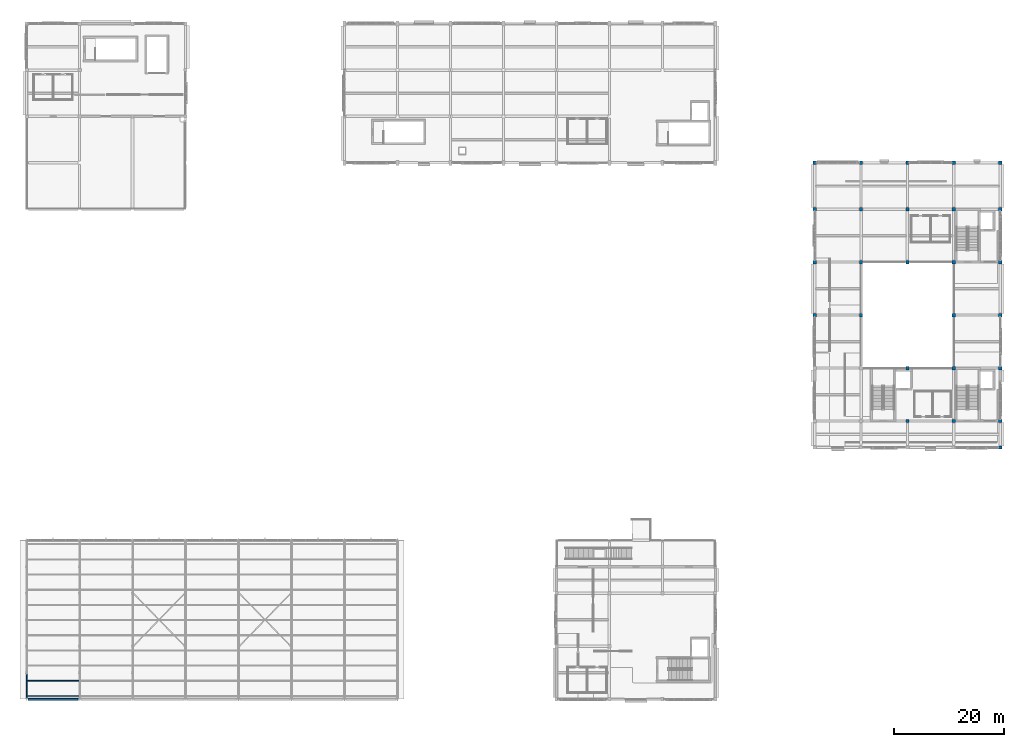
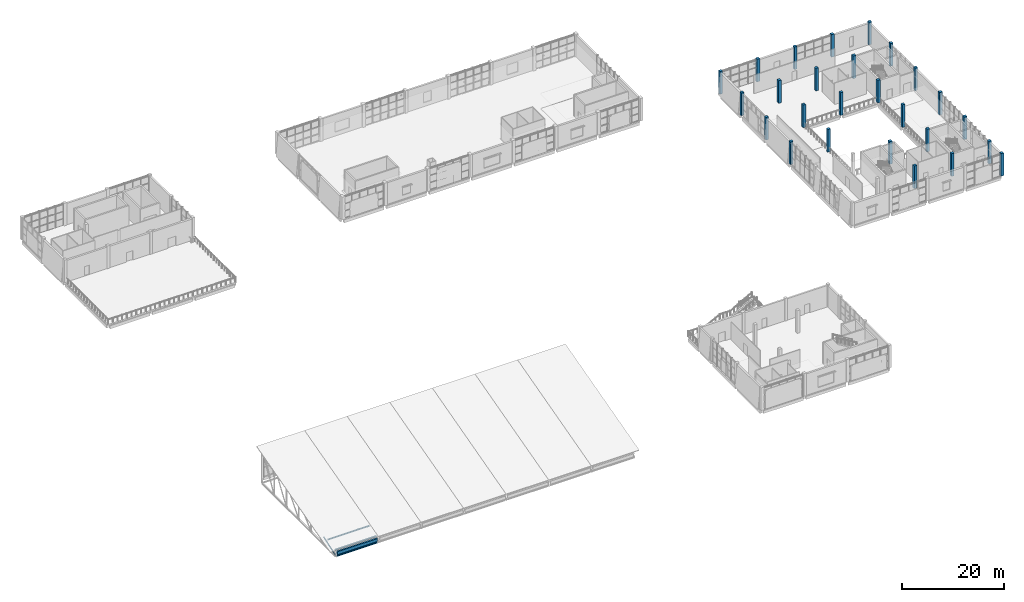
# One storey, part 2 of 57: 26 columns, 4 members, 1 beam.
"""IFC4 building model written with IfcOpenShell, lengths in metres."""

from ifc_helpers import new_model, si_unit, direction, frame, origin, origin_2d, place, context, subcontext, project, spatial, rectangle, hollow_circle, i_section, extrude, material, material_profile, profile_set, type_object, element, save


model = new_model("IFC4")

# Units and contexts
model_context = context("Model", 3, precision=1e-05, world=origin(), true_north=direction((0.0, 1.0)))
body_context = subcontext(model_context, "Body", "Model", "MODEL_VIEW")
ifc_project = project(units=[si_unit("LENGTHUNIT", "METRE"), si_unit("AREAUNIT", "SQUARE_METRE"), si_unit("VOLUMEUNIT", "CUBIC_METRE"), si_unit("PLANEANGLEUNIT", "RADIAN"), si_unit("MASSUNIT", "GRAM", prefix="KILO")], contexts=[model_context])

# Site, building, storey
site_placement = place(None, origin())
site = spatial("IfcSite", under=ifc_project, at=site_placement, CompositionType="ELEMENT")
building_placement = place(site_placement, origin())
building = spatial("IfcBuilding", under=site, at=building_placement, Name="Shalvenor Court Art Gallery", CompositionType="ELEMENT")
storey_placement = place(building_placement, frame((0.0, 0.0, 16.800048828125)))
storey = spatial("IfcBuildingStorey", under=building, at=storey_placement, Name="L03", CompositionType="ELEMENT", Elevation=16.800048828125)

# Columns
ifc_material_1 = material(Name="Concrete C40/50", Category="concrete")
ifc_material_profile_1 = material_profile(ifc_material_1, rectangle(XDim=0.60009765625, YDim=0.60009765625, at=origin_2d()), Name="RC 600x600")
ifc_profile_set_1 = profile_set([ifc_material_profile_1], Name="Concrete C40/50")
column_type_1 = type_object("IfcColumnType", Name="C-03", PredefinedType="COLUMN", material=ifc_profile_set_1)
for number, where, z_axis, x_axis, name in (
    (1, (142.800048828125, 69.60009765625, 0.0), (0.0, 0.0, 1.0), (1.0, 0.0, 0.0), "L03 Column COL-L03-C-03-0573"),
    (2, (142.800048828125, 79.199951171875, 0.0), (0.0, 0.0, 1.0), (1.0, 0.0, 0.0), "L03 Column COL-L03-C-03-0579"),
    (3, (142.800048828125, 88.800048828125, 0.0), (0.0, 0.0, 1.0), (1.0, 0.0, 0.0), "L03 Column COL-L03-C-03-0585"),
    (4, (151.199951171875, 69.60009765625, 0.0), (0.0, 0.0, 1.0), (1.0, 0.0, 0.0), "L03 Column COL-L03-C-03-0615"),
    (5, (151.199951171875, 79.199951171875, 0.0), (0.0, 0.0, 1.0), (1.0, 0.0, 0.0), "L03 Column COL-L03-C-03-0621"),
    (6, (151.199951171875, 88.800048828125, 0.0), (0.0, 0.0, 1.0), (1.0, 0.0, 0.0), "L03 Column COL-L03-C-03-0627"),
    (7, (159.60009765625, 50.39990234375, 0.0), (0.0, 0.0, 1.0), (1.0, 0.0, 0.0), "L03 Column COL-L03-C-03-0646"),
    (8, (159.60009765625, 60.0, 0.0), (0.0, 0.0, 1.0), (1.0, 0.0, 0.0), "L03 Column COL-L03-C-03-0653"),
    (9, (159.60009765625, 79.199951171875, 0.0), (0.0, 0.0, 1.0), (1.0, 0.0, 0.0), "L03 Column COL-L03-C-03-0660"),
    (10, (159.60009765625, 88.800048828125, 0.0), (0.0, 0.0, 1.0), (1.0, 0.0, 0.0), "L03 Column COL-L03-C-03-0667"),
    (11, (168.0, 50.39990234375, 0.0), (0.0, 0.0, 1.0), (1.0, 0.0, 0.0), "L03 Column COL-L03-C-03-0688"),
    (12, (168.0, 60.0, 0.0), (0.0, 0.0, 1.0), (1.0, 0.0, 0.0), "L03 Column COL-L03-C-03-0695"),
    (13, (168.0, 69.60009765625, 0.0), (0.0, 0.0, 1.0), (1.0, 0.0, 0.0), "L03 Column COL-L03-C-03-0702"),
    (14, (168.0, 79.199951171875, 0.0), (0.0, 0.0, 1.0), (1.0, 0.0, 0.0), "L03 Column COL-L03-C-03-0709"),
    (15, (168.0, 88.800048828125, 0.0), (0.0, 0.0, 1.0), (1.0, 0.0, 0.0), "L03 Column COL-L03-C-03-0716"),
):
    element("IfcColumn", number, at=place(storey_placement, frame(where, z_axis=z_axis, x_axis=x_axis)), inside=storey, type_object=column_type_1, Name=name, PredefinedType="COLUMN", context=body_context, shape_type="SweptSolid", body=[
        extrude(rectangle(XDim=0.60009765625, YDim=0.60009765625, at=origin_2d()), origin(), (0.0, 0.0, 1.0), 5.39990234375),
    ])
ifc_material_2 = material(Name="Concrete C40/50", Category="concrete")
ifc_material_profile_2 = material_profile(ifc_material_2, rectangle(XDim=0.60009765625, YDim=0.60009765625, at=origin_2d()), Name="RC 600x600")
ifc_profile_set_2 = profile_set([ifc_material_profile_2], Name="Concrete C40/50")
column_type_2 = type_object("IfcColumnType", Name="C-03E", PredefinedType="COLUMN", material=ifc_profile_set_2)
for number, where, z_axis, x_axis, name in (
    (16, (142.800048828125, 97.199951171875, 0.0), (0.0, 0.0, 1.0), (1.0, 0.0, 0.0), "L03 Column COL-L03-C-03E-0591"),
    (17, (151.199951171875, 97.199951171875, 0.0), (0.0, 0.0, 1.0), (1.0, 0.0, 0.0), "L03 Column COL-L03-C-03E-0633"),
    (18, (159.60009765625, 97.199951171875, 0.0), (0.0, 0.0, 1.0), (1.0, 0.0, 0.0), "L03 Column COL-L03-C-03E-0674"),
    (19, (168.0, 97.199951171875, 0.0), (0.0, 0.0, 1.0), (1.0, 0.0, 0.0), "L03 Column COL-L03-C-03E-0723"),
    (20, (176.39990234375, 45.60009765625, 0.0), (0.0, 0.0, 1.0), (1.0, 0.0, 0.0), "L03 Column COL-L03-C-03E-0730"),
    (21, (176.39990234375, 50.39990234375, 0.0), (0.0, 0.0, 1.0), (1.0, 0.0, 0.0), "L03 Column COL-L03-C-03E-0737"),
    (22, (176.39990234375, 60.0, 0.0), (0.0, 0.0, 1.0), (1.0, 0.0, 0.0), "L03 Column COL-L03-C-03E-0744"),
    (23, (176.39990234375, 69.60009765625, 0.0), (0.0, 0.0, 1.0), (1.0, 0.0, 0.0), "L03 Column COL-L03-C-03E-0751"),
    (24, (176.39990234375, 79.199951171875, 0.0), (0.0, 0.0, 1.0), (1.0, 0.0, 0.0), "L03 Column COL-L03-C-03E-0758"),
    (25, (176.39990234375, 88.800048828125, 0.0), (0.0, 0.0, 1.0), (1.0, 0.0, 0.0), "L03 Column COL-L03-C-03E-0765"),
    (26, (176.39990234375, 97.199951171875, 0.0), (0.0, 0.0, 1.0), (1.0, 0.0, 0.0), "L03 Column COL-L03-C-03E-0772"),
):
    element("IfcColumn", number, at=place(storey_placement, frame(where, z_axis=z_axis, x_axis=x_axis)), inside=storey, type_object=column_type_2, Name=name, PredefinedType="COLUMN", context=body_context, shape_type="SweptSolid", body=[
        extrude(rectangle(XDim=0.60009765625, YDim=0.60009765625, at=origin_2d()), origin(), (0.0, 0.0, 1.0), 5.39990234375),
    ])

# Members
ifc_material_3 = material(Name="Steel S355", Category="steel")
ifc_material_profile_3 = material_profile(ifc_material_3, i_section(OverallWidth=0.1201171875, OverallDepth=0.239990234375, WebThickness=0.006103515625, FlangeThickness=0.009765625, at=origin_2d()), Name="IPE 240")
ifc_profile_set_3 = profile_set([ifc_material_profile_3], Name="Steel S355")
member_type_1 = type_object("IfcMemberType", Name="PR-02", PredefinedType="PURLIN", material=ifc_profile_set_3)
for number, where, z_axis, x_axis, name in (
    (27, (0.135009765625, 0.60009765625, -0.2138671875), (1.0, 0.0, 0.0), (0.0, 1.0, 0.0), "L03 V4 Roof Purlin 1.1"),
    (28, (0.135009765625, 3.35009765625, 0.531005859375), (1.0, 0.0, 0.0), (0.0, 1.0, 0.0), "L03 V4 Roof Purlin 1.2"),
):
    element("IfcMember", number, at=place(storey_placement, frame(where, z_axis=z_axis, x_axis=x_axis)), inside=storey, type_object=member_type_1, Name=name, PredefinedType="PURLIN", context=body_context, shape_type="SweptSolid", body=[
        extrude(i_section(OverallWidth=0.1201171875, OverallDepth=0.239990234375, WebThickness=0.006103515625, FlangeThickness=0.009765625, at=origin_2d()), origin(), (0.0, 0.0, 1.0), 9.330078125),
    ])

# Beam
ifc_material_4 = material(Name="Concrete C40/50", Category="concrete")
ifc_material_profile_4 = material_profile(ifc_material_4, rectangle(XDim=0.35009765625, YDim=0.699951171875, at=origin_2d()), Name="RC 350x700")
ifc_profile_set_4 = profile_set([ifc_material_profile_4], Name="Concrete C40/50")
beam_type = type_object("IfcBeamType", Name="SP-01", PredefinedType="SPANDREL", material=ifc_profile_set_4)
beam_placement = place(storey_placement, frame((0.25, 0.0, -0.650146484375), z_axis=(1.0, 0.0, 0.0), x_axis=(0.0, 1.0, 0.0)))
element("IfcBeam", 29, at=beam_placement, inside=storey, type_object=beam_type, Name="L03 Spandrel Girder BM-L03-SP-01-1040", PredefinedType="SPANDREL", context=body_context, shape_type="SweptSolid", body=[
    extrude(rectangle(XDim=0.35009765625, YDim=0.699951171875, at=origin_2d()), origin(), (0.0, 0.0, 1.0), 9.10009765625),
])

# Members
ifc_material_5 = material(Name="Steel S355", Category="steel")
ifc_material_profile_5 = material_profile(ifc_material_5, i_section(OverallWidth=0.260009765625, OverallDepth=0.260009765625, WebThickness=0.010009765625, FlangeThickness=0.017578125, at=origin_2d()), Name="HEB 260")
ifc_profile_set_5 = profile_set([ifc_material_profile_5], Name="Steel S355")
member_type_2 = type_object("IfcMemberType", Name="TM-C1", PredefinedType="CHORD", material=ifc_profile_set_5)
member_1_placement = place(storey_placement, frame((0.25, 0.0, -1.35009765625), z_axis=(1.0, 0.0, 0.0), x_axis=(0.0, 1.0, 0.0)))
element("IfcMember", 30, at=member_1_placement, inside=storey, type_object=member_type_2, Name="L03 V4 Eave Truss Chord Tie 1.1", PredefinedType="CHORD", context=body_context, shape_type="SweptSolid", body=[
    extrude(i_section(OverallWidth=0.260009765625, OverallDepth=0.260009765625, WebThickness=0.010009765625, FlangeThickness=0.017578125, at=origin_2d()), origin(), (0.0, 0.0, 1.0), 9.10009765625),
])
ifc_material_6 = material(Name="Steel S355", Category="steel")
ifc_material_profile_6 = material_profile(ifc_material_6, hollow_circle(Radius=0.084228515625, WallThickness=0.008056640625, at=origin_2d()), Name="CHS 168.3x8.0")
ifc_profile_set_6 = profile_set([ifc_material_profile_6], Name="Steel S355")
member_type_3 = type_object("IfcMemberType", Name="TM-D2", PredefinedType="BRACE", material=ifc_profile_set_6)
member_2_placement = place(storey_placement, frame((0.0, 0.139892578125, -1.16015625), z_axis=(0.0, 0.946456948747, 0.322830054625), x_axis=(-1.0, 0.0, 0.0)))
element("IfcMember", 31, at=member_2_placement, inside=storey, type_object=member_type_3, Name="TR-V4-01 Roof Truss Diagonal 1", PredefinedType="BRACE", context=body_context, shape_type="SweptSolid", body=[
    extrude(hollow_circle(Radius=0.084228515625, WallThickness=0.008056640625, at=origin_2d()), origin(), (0.0, 0.0, 1.0), 4.775634765625),
])

save(model, "model.ifc")
